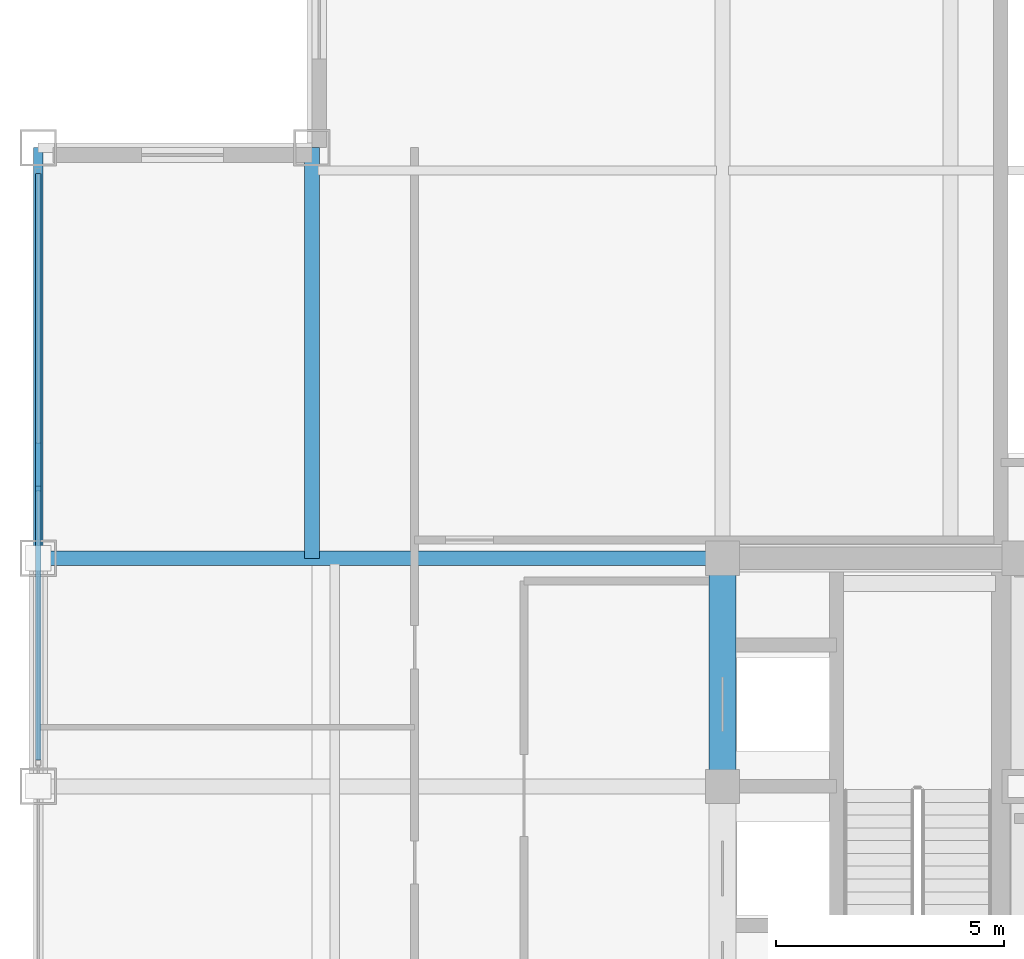
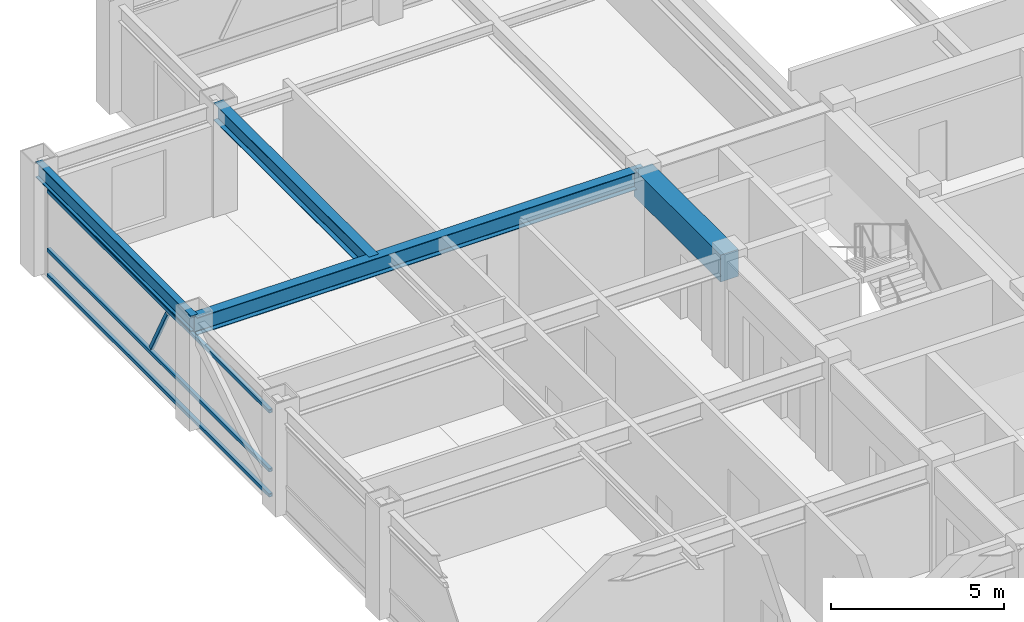
# One storey, part 16 of 29: 4 beams, 4 members, 1 element without a shape of its own.
"""IFC4 building model written with IfcOpenShell, lengths in metres."""

from ifc_helpers import new_model, si_unit, direction, frame, origin, origin_2d, place, context, subcontext, project, spatial, rectangle, hollow_rectangle, i_section, extrude, source, transform, mapped, material, material_profile, profile_set, type_object, element, aggregate, save


model = new_model("IFC4")

# Units and contexts
model_context = context("Model", 3, precision=1e-05, world=origin(), true_north=direction((0.0, 1.0)))
body_context = subcontext(model_context, "Body", "Model", "MODEL_VIEW")
ifc_project = project(units=[si_unit("LENGTHUNIT", "METRE"), si_unit("AREAUNIT", "SQUARE_METRE"), si_unit("VOLUMEUNIT", "CUBIC_METRE"), si_unit("PLANEANGLEUNIT", "RADIAN"), si_unit("MASSUNIT", "GRAM", prefix="KILO")], contexts=[model_context])

# Site, building, storey
site_placement = place(None, origin())
site = spatial("IfcSite", under=ifc_project, at=site_placement, CompositionType="ELEMENT")
building_placement = place(site_placement, origin())
building = spatial("IfcBuilding", under=site, at=building_placement, Name="Khorayat Bourse Tower", CompositionType="ELEMENT")
storey_placement = place(building_placement, frame((0.0, 0.0, 354.300048828125)))
storey = spatial("IfcBuildingStorey", under=building, at=storey_placement, Name="L84", CompositionType="ELEMENT", Elevation=354.300048828125)

# Beams
ifc_material_1 = material(Name="Concrete C60/75", Category="concrete")
ifc_material_profile_1 = material_profile(ifc_material_1, rectangle(XDim=0.60009765625, YDim=0.949951171875, at=origin_2d()), Name="RC 600x950")
ifc_profile_set_1 = profile_set([ifc_material_profile_1], Name="Concrete C60/75")
beam_type_1 = type_object("IfcBeamType", Name="BM-COUP-950", PredefinedType="BEAM", material=ifc_profile_set_1)
shared_shape_1 = source(origin(), body_context, "Body", "SweptSolid", [
    extrude(rectangle(XDim=0.60009765625, YDim=0.949951171875, at=origin_2d()), origin(), (0.0, 0.0, 1.0), 5.0),
])
beam_1_placement = place(storey_placement, frame((-11.0, 6.0, 3.264892578125), z_axis=(0.0, 1.0, 0.0), x_axis=(-1.0, 0.0, 0.0)))
element("IfcBeam", 1, at=beam_1_placement, inside=storey, type_object=beam_type_1, Name="L84 BM-COUP-950 BM-L84-CRX-04", PredefinedType="BEAM", context=body_context, shape_type="MappedRepresentation", body=[
    mapped(shared_shape_1, transform((0.0, 0.0, 0.0), scale=1.0)),
])
ifc_material_2 = material(Name="Steel ASTM A992 Grade 50", Category="steel")
ifc_material_profile_2 = material_profile(ifc_material_2, i_section(OverallWidth=0.214111328125, OverallDepth=0.549072265625, WebThickness=0.0146484375, FlangeThickness=0.023681640625, FilletRadius=0.013916015625, at=origin_2d()), Name="W530X138")
ifc_profile_set_2 = profile_set([ifc_material_profile_2], Name="Steel ASTM A992 Grade 50")
beam_type_2 = type_object("IfcBeamType", Name="BM-SPAN-530", PredefinedType="SPANDREL", material=ifc_profile_set_2)
shared_shape_2 = source(origin(), body_context, "Body", "SweptSolid", [
    extrude(i_section(OverallWidth=0.214111328125, OverallDepth=0.549072265625, WebThickness=0.0146484375, FlangeThickness=0.023681640625, FilletRadius=0.013916015625, at=origin_2d()), origin(), (0.0, 0.0, 1.0), 9.0),
])
beam_2_placement = place(storey_placement, frame((-26.0, 11.0, 3.46533203125), z_axis=(0.0, 1.0, 0.0), x_axis=(-1.0, 0.0, 0.0)))
element("IfcBeam", 2, at=beam_2_placement, inside=storey, type_object=beam_type_2, Name="L84 BM-SPAN-530 BM-L84-SPN-048", PredefinedType="SPANDREL", context=body_context, shape_type="MappedRepresentation", body=[
    mapped(shared_shape_2, transform((0.0, 0.0, 0.0), scale=1.0)),
])
ifc_material_profile_3 = material_profile(ifc_material_2, i_section(OverallWidth=0.324951171875, OverallDepth=0.615966796875, WebThickness=0.013916015625, FlangeThickness=0.021484375, FilletRadius=0.01611328125, at=origin_2d()), Name="W610X174")
ifc_profile_set_3 = profile_set([ifc_material_profile_3], Name="Steel ASTM A992 Grade 50")
beam_type_3 = type_object("IfcBeamType", Name="BM-GIRD-610", PredefinedType="BEAM", material=ifc_profile_set_3)
shared_shape_3 = source(origin(), body_context, "Body", "SweptSolid", [
    extrude(i_section(OverallWidth=0.324951171875, OverallDepth=0.615966796875, WebThickness=0.013916015625, FlangeThickness=0.021484375, FilletRadius=0.01611328125, at=origin_2d()), origin(), (0.0, 0.0, 1.0), 15.0),
])
beam_3_placement = place(storey_placement, frame((-26.0, 11.0, 3.431884765625), z_axis=(1.0, 0.0, 0.0), x_axis=(0.0, 1.0, 0.0)))
element("IfcBeam", 3, at=beam_3_placement, inside=storey, type_object=beam_type_3, Name="L84 BM-GIRD-610 BM-L84-RADX-075", PredefinedType="BEAM", context=body_context, shape_type="MappedRepresentation", body=[
    mapped(shared_shape_3, transform((0.0, 0.0, 0.0), scale=1.0)),
])
shared_shape_4 = source(origin(), body_context, "Body", "SweptSolid", [
    extrude(i_section(OverallWidth=0.324951171875, OverallDepth=0.615966796875, WebThickness=0.013916015625, FlangeThickness=0.021484375, FilletRadius=0.01611328125, at=origin_2d()), origin(), (0.0, 0.0, 1.0), 9.0),
])
beam_4_placement = place(storey_placement, frame((-20.0, 11.0, 3.431884765625), z_axis=(0.0, 1.0, 0.0), x_axis=(-1.0, 0.0, 0.0)))
element("IfcBeam", 4, at=beam_4_placement, inside=storey, type_object=beam_type_3, Name="L84 BM-GIRD-610 BM-L84-CNRY-077", PredefinedType="BEAM", context=body_context, shape_type="MappedRepresentation", body=[
    mapped(shared_shape_4, transform((0.0, 0.0, 0.0), scale=1.0)),
])

# Curtain wall, members
ifc_material_3 = material(Name="Aluminium EN AW-6063 T6", Category="aluminium")
curtain_wall_type = type_object("IfcCurtainWallType", Name="CW-SYS-06", PredefinedType="NOTDEFINED", material=ifc_material_3)
curtain_wall_placement = place(storey_placement, origin())
curtain_wall = element("IfcCurtainWall", 5, at=curtain_wall_placement, inside=storey, type_object=curtain_wall_type, Name="L84 Curtain Wall CW-L84-W1", PredefinedType="NOTDEFINED")
ifc_material_profile_4 = material_profile(ifc_material_3, hollow_rectangle(XDim=0.1201171875, YDim=0.1201171875, WallThickness=0.0048828125, at=origin_2d()), Name="ALU 120x120x5")
ifc_profile_set_4 = profile_set([ifc_material_profile_4], Name="Aluminium EN AW-6063 T6")
member_type_1 = type_object("IfcMemberType", Name="CWM-DIAG-120", PredefinedType="MULLION", material=ifc_profile_set_4)
shared_shape_5 = source(origin(), body_context, "Body", "SweptSolid", [
    extrude(hollow_rectangle(XDim=0.1201171875, YDim=0.1201171875, WallThickness=0.0048828125, at=origin_2d()), origin(), (0.0, 0.0, 1.0), 2.0341796875),
])
member_1_placement = place(storey_placement, frame((-26.0, 13.47705078125, 1.08984375), z_axis=(0.0, -0.465790950955, 0.884894790361), x_axis=(1.0, 0.0, 0.0)))
member_1 = element("IfcMember", 6, at=member_1_placement, type_object=member_type_1, Name="CW-L84-W1 Faceted Diagonal Mullion 1", PredefinedType="MULLION", context=body_context, shape_type="MappedRepresentation", body=[
    mapped(shared_shape_5, transform((0.0, 0.0, 0.0), scale=1.0)),
])
ifc_material_profile_5 = material_profile(ifc_material_3, hollow_rectangle(XDim=0.1201171875, YDim=0.1201171875, WallThickness=0.0048828125, at=origin_2d()), Name="ALU 120x120x5")
ifc_profile_set_5 = profile_set([ifc_material_profile_5], Name="Aluminium EN AW-6063 T6")
member_type_2 = type_object("IfcMemberType", Name="CWT-HORZ-120", PredefinedType="USERDEFINED", material=ifc_profile_set_5)
shared_shape_6 = source(origin(), body_context, "Body", "SweptSolid", [
    extrude(hollow_rectangle(XDim=0.1201171875, YDim=0.1201171875, WallThickness=0.0048828125, at=origin_2d()), origin(), (0.0, 0.0, 1.0), 12.853271484375),
])
member_2_placement = place(storey_placement, frame((-26.0, 19.429931640625, 0.06005859375), z_axis=(0.0, -1.0, 0.0), x_axis=(1.0, 0.0, 0.0)))
member_2 = element("IfcMember", 7, at=member_2_placement, type_object=member_type_2, Name="CW-L84-W1 Horizontal Transom 1-1", ObjectType="TRANSOM", PredefinedType="USERDEFINED", context=body_context, shape_type="MappedRepresentation", body=[
    mapped(shared_shape_6, transform((0.0, 0.0, 0.0), scale=1.0)),
])
member_3_placement = place(storey_placement, frame((-26.0, 19.429931640625, 0.949951171875), z_axis=(0.0, -1.0, 0.0), x_axis=(1.0, 0.0, 0.0)))
member_3 = element("IfcMember", 8, at=member_3_placement, type_object=member_type_2, Name="CW-L84-W1 Horizontal Transom 1-2", ObjectType="TRANSOM", PredefinedType="USERDEFINED", context=body_context, shape_type="MappedRepresentation", body=[
    mapped(shared_shape_6, transform((0.0, 0.0, 0.0), scale=1.0)),
])
member_4_placement = place(storey_placement, frame((-26.0, 19.429931640625, 3.030029296875), z_axis=(0.0, -1.0, 0.0), x_axis=(1.0, 0.0, 0.0)))
member_4 = element("IfcMember", 9, at=member_4_placement, type_object=member_type_2, Name="CW-L84-W1 Horizontal Transom 1-3", ObjectType="TRANSOM", PredefinedType="USERDEFINED", context=body_context, shape_type="MappedRepresentation", body=[
    mapped(shared_shape_6, transform((0.0, 0.0, 0.0), scale=1.0)),
])
aggregate(curtain_wall, [member_2, member_3, member_4, member_1])

save(model, "model.ifc")
